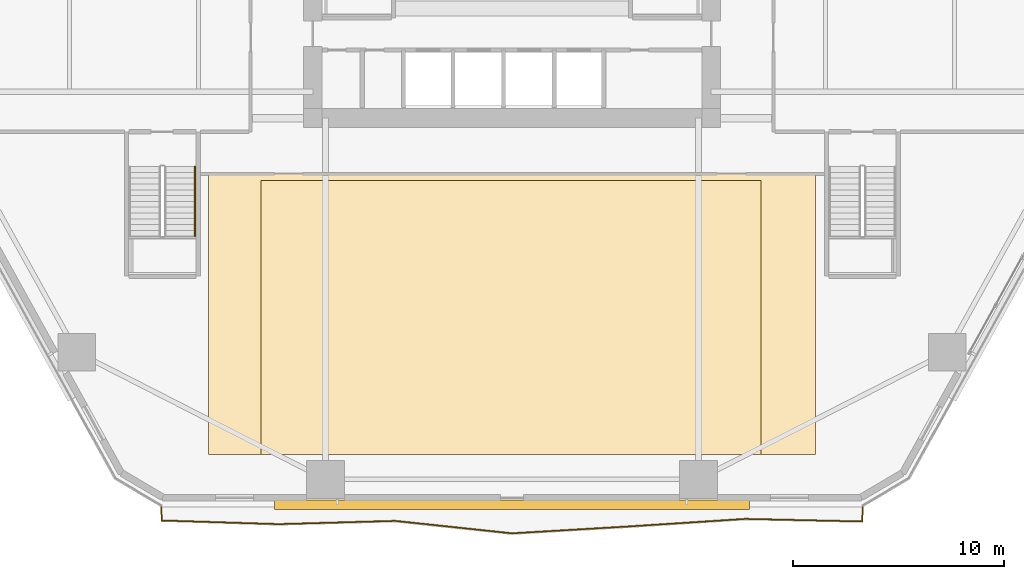
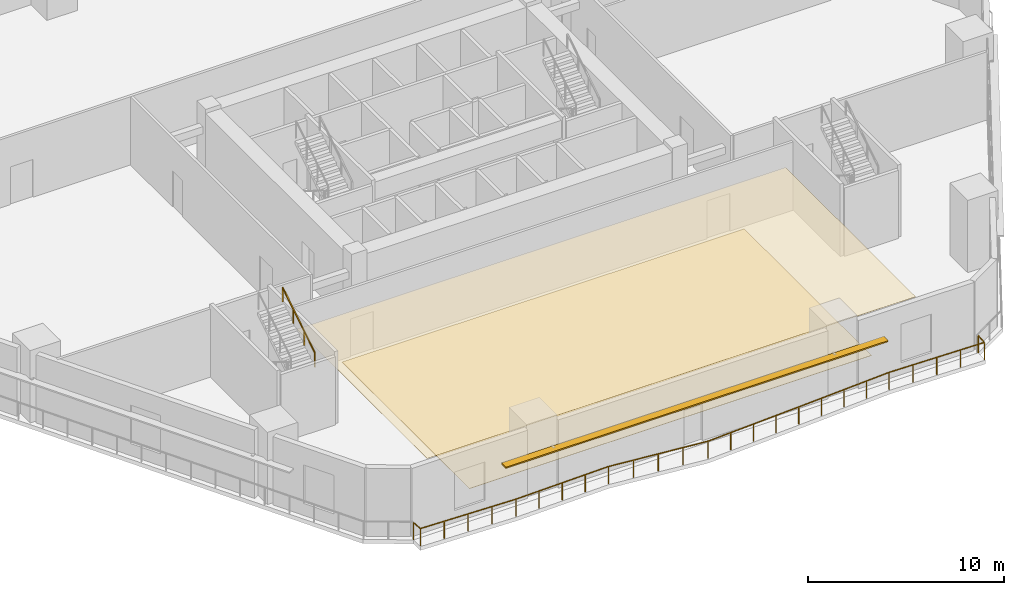
# One storey, part 16 of 21: 2 coverings, 2 railings, 1 shading device.
"""IFC4 building model written with IfcOpenShell, lengths in metres."""

import ifcopenshell
import ifcopenshell.guid

model = None  # the IFC model being written
_history = None  # IfcOwnerHistory: only IFC2X3 demands one
_inside = {}  # id of a spatial element -> (the spatial element, [elements in it])
_under = {}  # id of a project, library or spatial element -> (it, [spatial elements below it])
_declared = {}  # id of a project -> (the project, [libraries it declares])
_typed = {}  # id of a type object -> (the type object, [elements of that type])
_made_of = {}  # id of a material, layer set ... -> (it, [elements and type objects made of it])


def new_model(schema):
    """Start an empty IFC model of exactly this schema.

    Asked for "IFC4X3", IfcOpenShell would pick the latest addendum, in which some entities
    have other attributes; the version numbers below select the first issue.
    IFC2X3 requires an IfcOwnerHistory on every rooted entity: one is made here for all.
    """
    global model, _history
    if schema == "IFC4X3":
        model = ifcopenshell.file(schema_version=(4, 3, 0, 0))
    else:
        model = ifcopenshell.file(schema=schema)
    _inside.clear()
    _under.clear()
    _declared.clear()
    _typed.clear()
    _made_of.clear()
    _history = None
    if model.schema == "IFC2X3":
        org = make("IfcOrganization", Name="unknown")
        user = make(
            "IfcPersonAndOrganization",
            ThePerson=make("IfcPerson", FamilyName="unknown"),
            TheOrganization=org,
        )
        app = make(
            "IfcApplication",
            ApplicationDeveloper=org,
            Version="unknown",
            ApplicationFullName="unknown",
            ApplicationIdentifier="unknown",
        )
        _history = make(
            "IfcOwnerHistory",
            OwningUser=user,
            OwningApplication=app,
            ChangeAction="ADDED",
            CreationDate=0,
        )
    return model


def make(cls, **values):
    """One entity of the class cls with the attributes given. An attribute that is None is left unset."""
    return model.create_entity(
        cls, **{name: value for name, value in values.items() if value is not None}
    )


def rooted(cls, **values):
    """An entity with a GlobalId (a new one), such as an element, a storey or a relation."""
    return make(cls, GlobalId=ifcopenshell.guid.new(), OwnerHistory=_history, **values)


def si_unit(unit_type, name, prefix=None):
    """IfcSIUnit, for example si_unit("LENGTHUNIT", "METRE", prefix="MILLI")."""
    return make("IfcSIUnit", UnitType=unit_type, Prefix=prefix, Name=name)


def assignment(units):
    """IfcUnitAssignment: the units of a project."""
    return None if units is None else make("IfcUnitAssignment", Units=units)


def point(xyz):
    """IfcCartesianPoint."""
    return None if xyz is None else make("IfcCartesianPoint", Coordinates=xyz)


def direction(xyz):
    """IfcDirection."""
    return None if xyz is None else make("IfcDirection", DirectionRatios=xyz)


def frame(location, z_axis=None, x_axis=None):
    """IfcAxis2Placement3D, a coordinate frame: its origin and axes. An axis left out is left unset."""
    return make(
        "IfcAxis2Placement3D",
        Location=point(location),
        Axis=direction(z_axis),
        RefDirection=direction(x_axis),
    )


def frame_2d(location, x_axis=None):
    """IfcAxis2Placement2D, a coordinate frame in the plane: its origin and x axis."""
    return make(
        "IfcAxis2Placement2D", Location=point(location), RefDirection=direction(x_axis)
    )


def origin():
    """The frame at (0, 0, 0) with its axes left unset."""
    return frame((0.0, 0.0, 0.0))


def origin_2d():
    """The frame at (0, 0) in the plane with its x axis left unset."""
    return frame_2d((0.0, 0.0))


def place(relative_to, where):
    """IfcLocalPlacement: puts the frame where relative to a parent placement (None: the world)."""
    return make(
        "IfcLocalPlacement", PlacementRelTo=relative_to, RelativePlacement=where
    )


def context(
    kind, dimensions, precision=None, world=None, true_north=None, identifier=None
):
    """IfcGeometricRepresentationContext, for example the 3D "Model" context."""
    return make(
        "IfcGeometricRepresentationContext",
        ContextIdentifier=identifier,
        ContextType=kind,
        CoordinateSpaceDimension=dimensions,
        Precision=precision,
        WorldCoordinateSystem=world,
        TrueNorth=true_north,
    )


def subcontext(parent, identifier, kind, view, scale=None):
    """IfcGeometricRepresentationSubContext, for example "Body" below "Model"."""
    return make(
        "IfcGeometricRepresentationSubContext",
        ContextIdentifier=identifier,
        ContextType=kind,
        ParentContext=parent,
        TargetScale=scale,
        TargetView=view,
    )


def project(units=None, contexts=None):
    """IfcProject with its units and contexts."""
    return rooted(
        "IfcProject",
        Name="project",
        RepresentationContexts=contexts,
        UnitsInContext=assignment(units),
    )


def spatial(cls, under=None, at=None, **own):
    """A site, building, storey or space (cls), placed at a placement, below another one or the project."""
    s = rooted(cls, ObjectPlacement=at, **own)
    if under is not None:
        _under.setdefault(under.id(), (under, []))[1].append(s)
    return s


def polyline(points):
    """IfcPolyline through the points."""
    return make("IfcPolyline", Points=[point(p) for p in points])


def profile(cls, at=None, kind="AREA", **sizes):
    """A parametric profile (cls). Its sizes go by their IFC names, for example OverallWidth=200.0."""
    return make(cls, ProfileType=kind, Position=at, **sizes)


def rectangle(**sizes):
    """IfcRectangleProfileDef."""
    return profile("IfcRectangleProfileDef", **sizes)


def outline(outer, holes=None, kind="AREA"):
    """IfcArbitraryClosedProfileDef: a profile drawn as a closed curve; with holes, ...WithVoids."""
    if holes is None:
        return make("IfcArbitraryClosedProfileDef", ProfileType=kind, OuterCurve=outer)
    return make(
        "IfcArbitraryProfileDefWithVoids",
        ProfileType=kind,
        OuterCurve=outer,
        InnerCurves=holes,
    )


def extrude(swept, where, along, depth):
    """IfcExtrudedAreaSolid: the profile swept, set in the frame where, extruded along a direction by depth."""
    return make(
        "IfcExtrudedAreaSolid",
        SweptArea=swept,
        Position=where,
        ExtrudedDirection=direction(along),
        Depth=depth,
    )


def shape(context_of_items, identifier, shape_type, items):
    """IfcShapeRepresentation: the items that make up one representation, for example the "Body"."""
    return make(
        "IfcShapeRepresentation",
        ContextOfItems=context_of_items,
        RepresentationIdentifier=identifier,
        RepresentationType=shape_type,
        Items=items,
    )


def material(Name=None, Category=None):
    """IfcMaterial."""
    return make("IfcMaterial", Name=Name, Category=Category)


def layer(
    of_material, thickness, ventilated=None, Name=None, Category=None, Priority=None
):
    """IfcMaterialLayer: one layer of a wall or slab, of a material (None: an air gap)."""
    return make(
        "IfcMaterialLayer",
        Material=of_material,
        LayerThickness=thickness,
        IsVentilated=ventilated,
        Name=Name,
        Category=Category,
        Priority=Priority,
    )


def layer_set(layers, Name=None):
    """IfcMaterialLayerSet."""
    return make("IfcMaterialLayerSet", MaterialLayers=layers, LayerSetName=Name)


def made_of(thing, what):
    """Note that an element or type object is made of a material, layer set ...; save() writes the relation."""
    if what is not None:
        _made_of.setdefault(what.id(), (what, []))[1].append(thing)
    return thing


def type_object(cls, material=None, **own):
    """A type object (cls), such as IfcWallType, which elements share."""
    return made_of(rooted(cls, **own), material)


def element(
    cls,
    number,
    at=None,
    inside=None,
    cuts=None,
    type_object=None,
    material=None,
    context=None,
    identifier="Body",
    shape_type=None,
    held_by="IfcProductDefinitionShape",
    body=None,
    shapes=None,
    **own,
):
    """One element of the class cls, such as IfcWall. Its Tag is "e" and its number.

    at: its placement. inside: the storey or other place that contains it. cuts: it is an
    opening in that element (IfcRelVoidsElement). A single representation is given by context,
    identifier, shape_type and body (its items); several are given by shapes. held_by: the class
    of the entity that holds the representations. save() writes the other relations.
    """
    e = rooted(cls, Tag="e%d" % number, ObjectPlacement=at, **own)
    if body is not None:
        shapes = [shape(context, identifier, shape_type, body)]
    if shapes is not None:
        e.Representation = make(held_by, Representations=shapes)
    if inside is not None:
        _inside.setdefault(inside.id(), (inside, []))[1].append(e)
    if cuts is not None:
        rooted(
            "IfcRelVoidsElement", RelatingBuildingElement=cuts, RelatedOpeningElement=e
        )
    if type_object is not None:
        _typed.setdefault(type_object.id(), (type_object, []))[1].append(e)
    return made_of(e, material)


def aggregate(whole, parts):
    """IfcRelAggregates: a whole, such as a stair, and the parts it consists of."""
    return rooted("IfcRelAggregates", RelatingObject=whole, RelatedObjects=parts)


def save(model, path):
    """Write the relations noted so far, then the file.

    IfcRelAggregates (storeys below a building ...), IfcRelContainedInSpatialStructure (elements
    in a storey), IfcRelDefinesByType, IfcRelAssociatesMaterial and IfcRelDeclares: one each for
    every whole, place, type object, material and project.
    """
    for whole, parts in _under.values():
        aggregate(whole, parts)
    for where, things in _inside.values():
        rooted(
            "IfcRelContainedInSpatialStructure",
            RelatedElements=things,
            RelatingStructure=where,
        )
    for kind, things in _typed.values():
        rooted("IfcRelDefinesByType", RelatedObjects=things, RelatingType=kind)
    for what, things in _made_of.values():
        rooted("IfcRelAssociatesMaterial", RelatedObjects=things, RelatingMaterial=what)
    for by, libraries in _declared.values():
        rooted("IfcRelDeclares", RelatingContext=by, RelatedDefinitions=libraries)
    model.write(path)


model = new_model("IFC4")

# Units and contexts
model_context = context("Model", 3, precision=1e-05, world=origin(), true_north=direction((0.0, 1.0)))
body_context = subcontext(model_context, "Body", "Model", "MODEL_VIEW")
ifc_project = project(units=[si_unit("LENGTHUNIT", "METRE"), si_unit("AREAUNIT", "SQUARE_METRE"), si_unit("VOLUMEUNIT", "CUBIC_METRE"), si_unit("PLANEANGLEUNIT", "RADIAN"), si_unit("MASSUNIT", "GRAM", prefix="KILO")], contexts=[model_context])

# Site, building, storey
site_placement = place(None, origin())
site = spatial("IfcSite", under=ifc_project, at=site_placement, CompositionType="ELEMENT")
building_placement = place(site_placement, origin())
building = spatial("IfcBuilding", under=site, at=building_placement, Name="Cinnabar Lancet Tower", CompositionType="ELEMENT")
storey_placement = place(building_placement, frame((0.0, 0.0, 6.0)))
storey = spatial("IfcBuildingStorey", under=building, at=storey_placement, Name="L01", CompositionType="ELEMENT", Elevation=6.0)

# Coverings
ifc_material_1 = material(Name="Acoustic perforated gypsum ceiling board", Category="finish")
ifc_layer_1 = layer(ifc_material_1, 0.01806640625)
ifc_layer_set_1 = layer_set([ifc_layer_1], Name="Acoustic perforated gypsum ceiling board")
covering_type_1 = type_object("IfcCoveringType", Name="ARC-COV-CEIL-GYP", PredefinedType="CEILING", material=ifc_layer_set_1)
covering_1_placement = place(storey_placement, frame((0.0, 0.0, 2.75)))
element("IfcCovering", 1, at=covering_1_placement, inside=storey, type_object=covering_type_1, Name="L01 Suspended Acoustic Ceiling", PredefinedType="CEILING", context=body_context, shape_type="SweptSolid", body=[
    extrude(outline(polyline([(18.0, 2.5), (46.800048828125, 2.5), (46.800048828125, 15.800048828125), (18.0, 15.800048828125), (18.0, 2.5)])), origin(), (0.0, 0.0, 1.0), 0.01806640625),
])
ifc_material_2 = material(Name="Engineered tropical Kempas timber flooring", Category="wood")
ifc_layer_2 = layer(ifc_material_2, 0.02001953125)
ifc_layer_set_2 = layer_set([ifc_layer_2], Name="Engineered tropical Kempas timber flooring")
covering_type_2 = type_object("IfcCoveringType", Name="ARC-COV-FLR-TIM", PredefinedType="FLOORING", material=ifc_layer_set_2)
covering_2_placement = place(storey_placement, origin())
element("IfcCovering", 2, at=covering_2_placement, inside=storey, type_object=covering_type_2, Name="L01 Architectural Floor Finish", PredefinedType="FLOORING", context=body_context, shape_type="SweptSolid", body=[
    extrude(outline(polyline([(20.5, 2.5), (44.199951171875, 2.5), (44.199951171875, 15.5), (20.5, 15.5), (20.5, 2.5)])), origin(), (0.0, 0.0, 1.0), 0.02001953125),
])

# Railing
ifc_material_3 = material(Name="Laminated safety glass and bronze stainless steel balustrade", Category="steel")
railing_type_1 = type_object("IfcRailingType", Name="ENV-RLG-BAL-1100", PredefinedType="BALUSTRADE", material=ifc_material_3)
railing_1_placement = place(storey_placement, frame((15.756103515625, 0.0, 0.0)))
element("IfcRailing", 3, at=railing_1_placement, inside=storey, type_object=railing_type_1, Name="L01 Face 1 Wave Balcony Balustrade", PredefinedType="BALUSTRADE", context=body_context, shape_type="SweptSolid", body=[
    extrude(rectangle(XDim=0.048095703125, YDim=0.048095703125, at=origin_2d()), frame((0.0, 0.0, 1.076171875), z_axis=(0.057779889362, -0.998329346651, 0.0), x_axis=(0.998329346651, 0.057779889362, 0.0)), (0.0, 0.0, 1.0), 0.637939453125),
    extrude(rectangle(XDim=0.048095703125, YDim=0.048095703125, at=origin_2d()), frame((0.036865234375, -0.636962890625, 1.076171875), z_axis=(0.999511904121, -0.031240254806, 0.0), x_axis=(0.031240254806, 0.999511904121, 0.0)), (0.0, 0.0, 1.0), 5.540771484375),
    extrude(rectangle(XDim=0.048095703125, YDim=0.048095703125, at=origin_2d()), frame((5.574951171875, -0.81005859375, 1.076171875), z_axis=(0.999612889339, 0.027822139878, 0.0), x_axis=(-0.027822139878, 0.999612889339, 0.0)), (0.0, 0.0, 1.0), 5.537109375),
    extrude(rectangle(XDim=0.048095703125, YDim=0.048095703125, at=origin_2d()), frame((11.10986328125, -0.656005859375, 1.076171875), z_axis=(0.994362962931, -0.106029703155, 0.0), x_axis=(0.106029703155, 0.994362962931, 0.0)), (0.0, 0.0, 1.0), 5.565185546875),
    extrude(rectangle(XDim=0.048095703125, YDim=0.048095703125, at=origin_2d()), frame((16.643798828125, -1.24609375, 1.076171875), z_axis=(0.998257323457, 0.059011152878, 0.0), x_axis=(-0.059011152878, 0.998257323457, 0.0)), (0.0, 0.0, 1.0), 5.5439453125),
    extrude(rectangle(XDim=0.048095703125, YDim=0.048095703125, at=origin_2d()), frame((22.177978515625, -0.9189453125, 1.076171875), z_axis=(0.997927133139, 0.064353997117, 0.0), x_axis=(-0.064353997117, 0.997927133139, 0.0)), (0.0, 0.0, 1.0), 5.54638671875),
    extrude(rectangle(XDim=0.048095703125, YDim=0.048095703125, at=origin_2d()), frame((27.712890625, -0.56201171875, 1.076171875), z_axis=(0.999757164308, -0.02203661533, 0.0), x_axis=(0.02203661533, 0.999757164308, 0.0)), (0.0, 0.0, 1.0), 5.53955078125),
    extrude(rectangle(XDim=0.048095703125, YDim=0.048095703125, at=origin_2d()), frame((33.2509765625, -0.68408203125, 1.076171875), z_axis=(0.053811996364, 0.998551084846, 0.0), x_axis=(-0.998551084846, 0.053811996364, 0.0)), (0.0, 0.0, 1.0), 0.68505859375),
    extrude(rectangle(XDim=0.0419921875, YDim=0.0419921875, at=origin_2d()), origin(), (0.0, 0.0, 1.0), 1.052001953125),
    extrude(rectangle(XDim=0.0419921875, YDim=0.0419921875, at=origin_2d()), frame((0.036865234375, -0.636962890625, 0.0)), (0.0, 0.0, 1.0), 1.052001953125),
    extrude(rectangle(XDim=0.0419921875, YDim=0.0419921875, at=origin_2d()), frame((1.42138671875, -0.68017578125, 0.0)), (0.0, 0.0, 1.0), 1.052001953125),
    extrude(rectangle(XDim=0.0419921875, YDim=0.0419921875, at=origin_2d()), frame((2.805908203125, -0.7236328125, 0.0)), (0.0, 0.0, 1.0), 1.052001953125),
    extrude(rectangle(XDim=0.0419921875, YDim=0.0419921875, at=origin_2d()), frame((4.1904296875, -0.766845703125, 0.0)), (0.0, 0.0, 1.0), 1.052001953125),
    extrude(rectangle(XDim=0.0419921875, YDim=0.0419921875, at=origin_2d()), frame((5.574951171875, -0.81005859375, 0.0)), (0.0, 0.0, 1.0), 1.052001953125),
    extrude(rectangle(XDim=0.0419921875, YDim=0.0419921875, at=origin_2d()), frame((6.958740234375, -0.771484375, 0.0)), (0.0, 0.0, 1.0), 1.052001953125),
    extrude(rectangle(XDim=0.0419921875, YDim=0.0419921875, at=origin_2d()), frame((8.34228515625, -0.73291015625, 0.0)), (0.0, 0.0, 1.0), 1.052001953125),
    extrude(rectangle(XDim=0.0419921875, YDim=0.0419921875, at=origin_2d()), frame((9.72607421875, -0.694580078125, 0.0)), (0.0, 0.0, 1.0), 1.052001953125),
    extrude(rectangle(XDim=0.0419921875, YDim=0.0419921875, at=origin_2d()), frame((11.10986328125, -0.656005859375, 0.0)), (0.0, 0.0, 1.0), 1.052001953125),
    extrude(rectangle(XDim=0.0419921875, YDim=0.0419921875, at=origin_2d()), frame((12.493408203125, -0.803466796875, 0.0)), (0.0, 0.0, 1.0), 1.052001953125),
    extrude(rectangle(XDim=0.0419921875, YDim=0.0419921875, at=origin_2d()), frame((13.876953125, -0.951171875, 0.0)), (0.0, 0.0, 1.0), 1.052001953125),
    extrude(rectangle(XDim=0.0419921875, YDim=0.0419921875, at=origin_2d()), frame((15.26025390625, -1.0986328125, 0.0)), (0.0, 0.0, 1.0), 1.052001953125),
    extrude(rectangle(XDim=0.0419921875, YDim=0.0419921875, at=origin_2d()), frame((16.643798828125, -1.24609375, 0.0)), (0.0, 0.0, 1.0), 1.052001953125),
    extrude(rectangle(XDim=0.0419921875, YDim=0.0419921875, at=origin_2d()), frame((18.02734375, -1.164306640625, 0.0)), (0.0, 0.0, 1.0), 1.052001953125),
    extrude(rectangle(XDim=0.0419921875, YDim=0.0419921875, at=origin_2d()), frame((19.410888671875, -1.08251953125, 0.0)), (0.0, 0.0, 1.0), 1.052001953125),
    extrude(rectangle(XDim=0.0419921875, YDim=0.0419921875, at=origin_2d()), frame((20.79443359375, -1.000732421875, 0.0)), (0.0, 0.0, 1.0), 1.052001953125),
    extrude(rectangle(XDim=0.0419921875, YDim=0.0419921875, at=origin_2d()), frame((22.177978515625, -0.9189453125, 0.0)), (0.0, 0.0, 1.0), 1.052001953125),
    extrude(rectangle(XDim=0.0419921875, YDim=0.0419921875, at=origin_2d()), frame((23.561767578125, -0.82958984375, 0.0)), (0.0, 0.0, 1.0), 1.052001953125),
    extrude(rectangle(XDim=0.0419921875, YDim=0.0419921875, at=origin_2d()), frame((24.9453125, -0.740478515625, 0.0)), (0.0, 0.0, 1.0), 1.052001953125),
    extrude(rectangle(XDim=0.0419921875, YDim=0.0419921875, at=origin_2d()), frame((26.3291015625, -0.6513671875, 0.0)), (0.0, 0.0, 1.0), 1.052001953125),
    extrude(rectangle(XDim=0.0419921875, YDim=0.0419921875, at=origin_2d()), frame((27.712890625, -0.56201171875, 0.0)), (0.0, 0.0, 1.0), 1.052001953125),
    extrude(rectangle(XDim=0.0419921875, YDim=0.0419921875, at=origin_2d()), frame((29.097412109375, -0.592529296875, 0.0)), (0.0, 0.0, 1.0), 1.052001953125),
    extrude(rectangle(XDim=0.0419921875, YDim=0.0419921875, at=origin_2d()), frame((30.48193359375, -0.623046875, 0.0)), (0.0, 0.0, 1.0), 1.052001953125),
    extrude(rectangle(XDim=0.0419921875, YDim=0.0419921875, at=origin_2d()), frame((31.866455078125, -0.653564453125, 0.0)), (0.0, 0.0, 1.0), 1.052001953125),
    extrude(rectangle(XDim=0.0419921875, YDim=0.0419921875, at=origin_2d()), frame((33.2509765625, -0.68408203125, 0.0)), (0.0, 0.0, 1.0), 1.052001953125),
    extrude(rectangle(XDim=0.0419921875, YDim=0.0419921875, at=origin_2d()), frame((33.287841796875, 0.0, 0.0)), (0.0, 0.0, 1.0), 1.052001953125),
])

# Shading device
ifc_material_4 = material(Name="Pale limestone architectural aluminium sunshade", Category="masonry")
ifc_layer_3 = layer(ifc_material_4, 0.080078125)
ifc_layer_set_3 = layer_set([ifc_layer_3], Name="Pale limestone architectural aluminium sunshade")
shading_device_type = type_object("IfcShadingDeviceType", Name="ENV-SHD-LVR-450", PredefinedType="JALOUSIE", material=ifc_layer_set_3)
shading_device_placement = place(storey_placement, frame((32.39990234375, 0.10009765625, 2.639892578125), z_axis=(0.0, 0.0, 1.0), x_axis=(1.0, 0.0, 0.0)))
element("IfcShadingDevice", 4, at=shading_device_placement, inside=storey, type_object=shading_device_type, Name="L01 Face 1 Horizontal Sunshade Canopy", PredefinedType="JALOUSIE", context=body_context, shape_type="SweptSolid", body=[
    extrude(rectangle(XDim=22.531982421875, YDim=0.449951171875, at=origin_2d()), origin(), (0.0, 0.0, 1.0), 0.080078125),
])

# Railing
ifc_material_5 = material(Name="Brushed stainless steel handrail", Category="steel")
railing_type_2 = type_object("IfcRailingType", Name="HANDRAIL-STAIR", PredefinedType="HANDRAIL", material=ifc_material_5)
railing_2_placement = place(storey_placement, frame((17.364990234375, 12.85009765625, 2.423095703125)))
element("IfcRailing", 5, at=railing_2_placement, inside=storey, type_object=railing_type_2, Name="L01 ST-3 stair handrail 2", PredefinedType="HANDRAIL", context=body_context, shape_type="SweptSolid", body=[
    extrude(rectangle(XDim=0.048095703125, YDim=0.048095703125, at=origin_2d()), frame((0.0, 0.0, 0.8759765625), z_axis=(0.0, 0.846319618018, 0.532675421018), x_axis=(-1.0, 0.0, 0.0)), (0.0, 0.0, 1.0), 3.89892578125),
    extrude(rectangle(XDim=0.0419921875, YDim=0.0419921875, at=origin_2d()), origin(), (0.0, 0.0, 1.0), 0.851806640625),
    extrude(rectangle(XDim=0.0419921875, YDim=0.0419921875, at=origin_2d()), frame((0.0, 1.099853515625, 0.6923828125)), (0.0, 0.0, 1.0), 0.851806640625),
    extrude(rectangle(XDim=0.0419921875, YDim=0.0419921875, at=origin_2d()), frame((0.0, 2.199951171875, 1.384521484375)), (0.0, 0.0, 1.0), 0.851806640625),
    extrude(rectangle(XDim=0.0419921875, YDim=0.0419921875, at=origin_2d()), frame((0.0, 3.2998046875, 2.076904296875)), (0.0, 0.0, 1.0), 0.851806640625),
])

save(model, "model.ifc")
